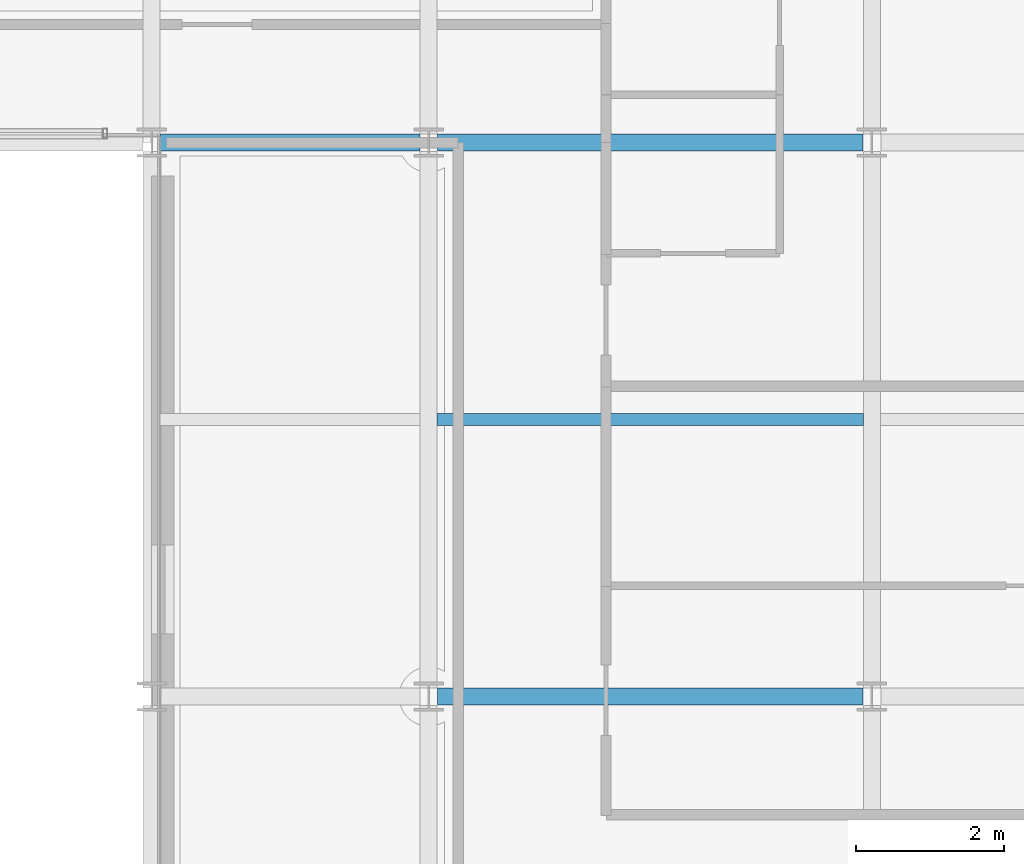
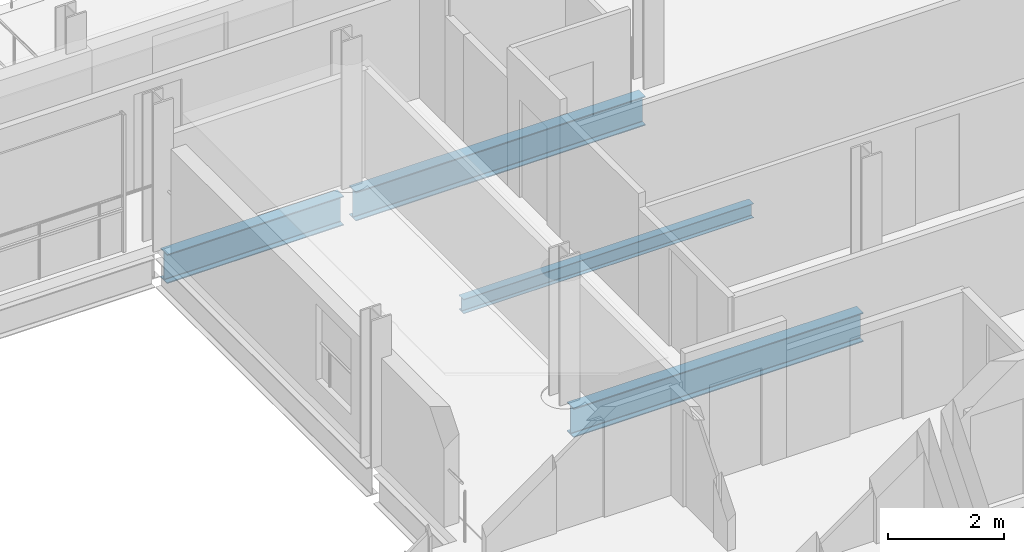
# One storey, part 19 of 38: 4 beams.
"""IFC4 building model written with IfcOpenShell, lengths in metres."""

from ifc_helpers import new_model, si_unit, direction, frame, origin, origin_2d, place, context, subcontext, project, spatial, i_section, extrude, material, material_profile, profile_set, type_object, element, save


model = new_model("IFC4")

# Units and contexts
model_context = context("Model", 3, precision=1e-05, world=origin(), true_north=direction((0.0, 1.0)))
body_context = subcontext(model_context, "Body", "Model", "MODEL_VIEW")
ifc_project = project(units=[si_unit("LENGTHUNIT", "METRE"), si_unit("AREAUNIT", "SQUARE_METRE"), si_unit("VOLUMEUNIT", "CUBIC_METRE"), si_unit("PLANEANGLEUNIT", "RADIAN"), si_unit("MASSUNIT", "GRAM", prefix="KILO")], contexts=[model_context])

# Site, building, storey
site_placement = place(None, origin())
site = spatial("IfcSite", under=ifc_project, at=site_placement, CompositionType="ELEMENT")
building_placement = place(site_placement, origin())
building = spatial("IfcBuilding", under=site, at=building_placement, Name="Brevholm Reach", CompositionType="ELEMENT")
storey_placement = place(building_placement, frame((0.0, 0.0, 172.800048828125)))
storey = spatial("IfcBuildingStorey", under=building, at=storey_placement, Name="L52", CompositionType="ELEMENT", Elevation=172.800048828125)

# Beams
ifc_material_1 = material(Name="Structural Steel S355J2", Category="steel")
ifc_material_profile_1 = material_profile(ifc_material_1, i_section(OverallWidth=0.1650390625, OverallDepth=0.303466796875, WebThickness=0.006103515625, FlangeThickness=0.01025390625, FilletRadius=0.0087890625, at=origin_2d()), Name="UKB 305x165x40")
ifc_profile_set_1 = profile_set([ifc_material_profile_1], Name="Structural Steel S355J2")
beam_type_1 = type_object("IfcBeamType", Name="BM-B305", PredefinedType="BEAM", material=ifc_profile_set_1)
beam_1_placement = place(storey_placement, frame((42.114501953125, 19.75, -0.36181640625), z_axis=(1.0, 0.0, 0.0), x_axis=(0.0, 1.0, 0.0)))
element("IfcBeam", 1, at=beam_1_placement, inside=storey, type_object=beam_type_1, Name="L52 Composite Secondary Floor Beam", PredefinedType="BEAM", context=body_context, shape_type="SweptSolid", body=[
    extrude(i_section(OverallWidth=0.1650390625, OverallDepth=0.303466796875, WebThickness=0.006103515625, FlangeThickness=0.01025390625, FilletRadius=0.0087890625, at=origin_2d()), origin(), (0.0, 0.0, 1.0), 5.77099609375),
])
ifc_material_2 = material(Name="Structural Steel S355J2", Category="steel")
ifc_material_profile_2 = material_profile(ifc_material_2, i_section(OverallWidth=0.22900390625, OverallDepth=0.6123046875, WebThickness=0.011962890625, FlangeThickness=0.01953125, FilletRadius=0.0126953125, at=origin_2d()), Name="UKB 610x229x125")
ifc_profile_set_2 = profile_set([ifc_material_profile_2], Name="Structural Steel S355J2")
beam_type_2 = type_object("IfcBeamType", Name="BM-SP610", PredefinedType="SPANDREL", material=ifc_profile_set_2)
beam_2_placement = place(storey_placement, frame((42.1201171875, 16.0, -0.51611328125), z_axis=(1.0, 0.0, 0.0), x_axis=(0.0, 1.0, 0.0)))
element("IfcBeam", 2, at=beam_2_placement, inside=storey, type_object=beam_type_2, Name="L52 SP-01 Framing Beam", PredefinedType="SPANDREL", context=body_context, shape_type="SweptSolid", body=[
    extrude(i_section(OverallWidth=0.22900390625, OverallDepth=0.6123046875, WebThickness=0.011962890625, FlangeThickness=0.01953125, FilletRadius=0.0126953125, at=origin_2d()), origin(), (0.0, 0.0, 1.0), 5.759765625),
])
beam_3_placement = place(storey_placement, frame((38.3701171875, 23.5, -0.51611328125), z_axis=(1.0, 0.0, 0.0), x_axis=(0.0, 1.0, 0.0)))
element("IfcBeam", 3, at=beam_3_placement, inside=storey, type_object=beam_type_2, Name="L52 SP-01 Framing Beam", PredefinedType="SPANDREL", context=body_context, shape_type="SweptSolid", body=[
    extrude(i_section(OverallWidth=0.22900390625, OverallDepth=0.6123046875, WebThickness=0.011962890625, FlangeThickness=0.01953125, FilletRadius=0.0126953125, at=origin_2d()), origin(), (0.0, 0.0, 1.0), 3.509765625),
])
beam_4_placement = place(storey_placement, frame((42.1201171875, 23.5, -0.51611328125), z_axis=(1.0, 0.0, 0.0), x_axis=(0.0, 1.0, 0.0)))
element("IfcBeam", 4, at=beam_4_placement, inside=storey, type_object=beam_type_2, Name="L52 SP-01 Framing Beam", PredefinedType="SPANDREL", context=body_context, shape_type="SweptSolid", body=[
    extrude(i_section(OverallWidth=0.22900390625, OverallDepth=0.6123046875, WebThickness=0.011962890625, FlangeThickness=0.01953125, FilletRadius=0.0126953125, at=origin_2d()), origin(), (0.0, 0.0, 1.0), 5.759765625),
])

save(model, "model.ifc")
